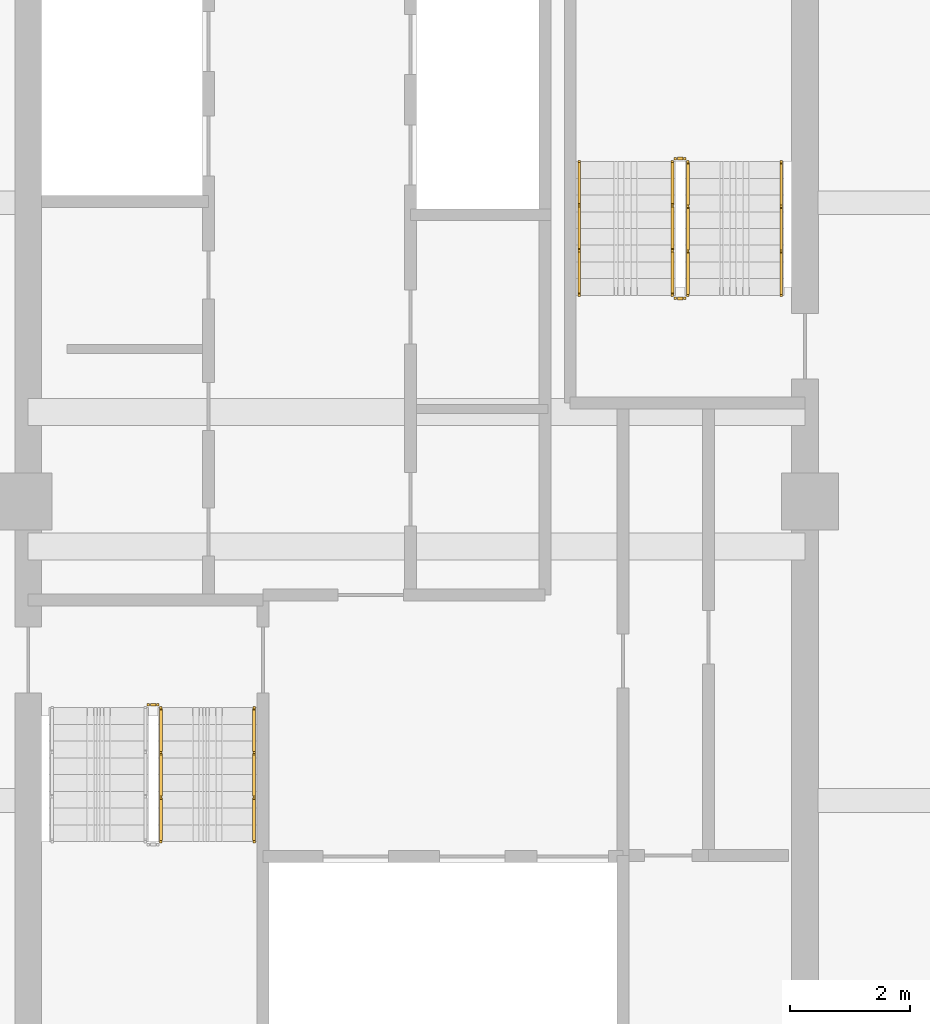
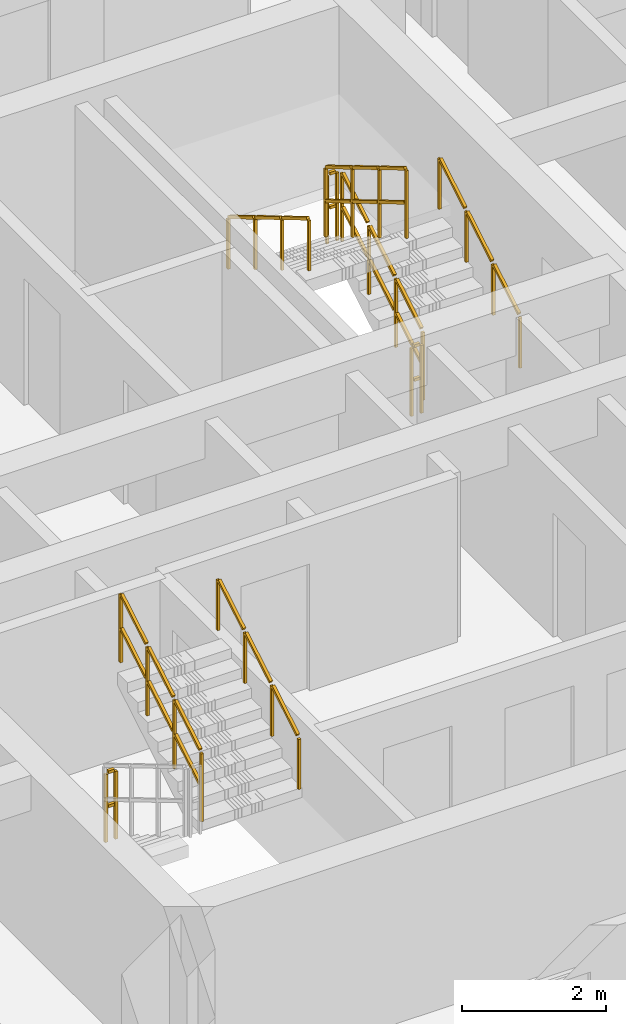
# One storey, part 12 of 14: 9 railings.
"""IFC4 building model written with IfcOpenShell, lengths in metres."""

from ifc_helpers import new_model, si_unit, direction, frame, origin, origin_2d, place, context, subcontext, project, spatial, rectangle, extrude, material, type_object, element, save


model = new_model("IFC4")

# Units and contexts
model_context = context("Model", 3, precision=1e-05, world=origin(), true_north=direction((0.0, 1.0)))
body_context = subcontext(model_context, "Body", "Model", "MODEL_VIEW")
ifc_project = project(units=[si_unit("LENGTHUNIT", "METRE"), si_unit("AREAUNIT", "SQUARE_METRE"), si_unit("VOLUMEUNIT", "CUBIC_METRE"), si_unit("PLANEANGLEUNIT", "RADIAN"), si_unit("MASSUNIT", "GRAM", prefix="KILO")], contexts=[model_context])

# Site, building, storey
site_placement = place(None, origin())
site = spatial("IfcSite", under=ifc_project, at=site_placement, CompositionType="ELEMENT")
building_placement = place(site_placement, origin())
building = spatial("IfcBuilding", under=site, at=building_placement, Name="Saelheon Loggia Tower", CompositionType="ELEMENT")
storey_placement = place(building_placement, frame((0.0, 0.0, 213.300048828125)))
storey = spatial("IfcBuildingStorey", under=building, at=storey_placement, Name="L66", CompositionType="ELEMENT", Elevation=213.300048828125)

# Railings
ifc_material_1 = material(Name="Galvanised Steel S275 Stairwell Guardrail", Category="steel")
railing_type_1 = type_object("IfcRailingType", Name="Guard_StairWell_RL_STG", PredefinedType="GUARDRAIL", material=ifc_material_1)
railing_1_placement = place(storey_placement, frame((33.719970703125, 21.31005859375, 1.66650390625)))
element("IfcRailing", 1, at=railing_1_placement, inside=storey, type_object=railing_type_1, Name="L66 ST1 stair guard 3", PredefinedType="GUARDRAIL", context=body_context, shape_type="SweptSolid", body=[
    extrude(rectangle(XDim=0.048095703125, YDim=0.048095703125, at=origin_2d()), frame((0.0, 0.028564453125, 1.19287109375), z_axis=(0.0, 0.859264461869, 0.511531606619), x_axis=(-1.0, 0.0, 0.0)), (0.0, 0.0, 1.0), 0.802490234375),
    extrude(rectangle(XDim=0.048095703125, YDim=0.048095703125, at=origin_2d()), frame((0.0, 0.028564453125, 0.616943359375), z_axis=(0.0, 0.859264461869, 0.511531606619), x_axis=(-1.0, 0.0, 0.0)), (0.0, 0.0, 1.0), 0.802490234375),
    extrude(rectangle(XDim=0.048095703125, YDim=0.048095703125, at=origin_2d()), frame((0.0, 0.775146484375, 1.637451171875), z_axis=(0.0, 0.859264461869, 0.511531606619), x_axis=(-1.0, 0.0, 0.0)), (0.0, 0.0, 1.0), 0.802490234375),
    extrude(rectangle(XDim=0.048095703125, YDim=0.048095703125, at=origin_2d()), frame((0.0, 0.775146484375, 1.0615234375), z_axis=(0.0, 0.859264461869, 0.511531606619), x_axis=(-1.0, 0.0, 0.0)), (0.0, 0.0, 1.0), 0.802490234375),
    extrude(rectangle(XDim=0.048095703125, YDim=0.048095703125, at=origin_2d()), frame((0.0, 1.52197265625, 2.081787109375), z_axis=(0.0, 0.859264461869, 0.511531606619), x_axis=(-1.0, 0.0, 0.0)), (0.0, 0.0, 1.0), 0.802490234375),
    extrude(rectangle(XDim=0.048095703125, YDim=0.048095703125, at=origin_2d()), frame((0.0, 1.52197265625, 1.505859375), z_axis=(0.0, 0.859264461869, 0.511531606619), x_axis=(-1.0, 0.0, 0.0)), (0.0, 0.0, 1.0), 0.802490234375),
    extrude(rectangle(XDim=0.0419921875, YDim=0.0419921875, at=origin_2d()), origin(), (0.0, 0.0, 1.0), 1.14794921875),
    extrude(rectangle(XDim=0.0419921875, YDim=0.0419921875, at=origin_2d()), frame((0.0, 0.74658203125, 0.444580078125)), (0.0, 0.0, 1.0), 1.14794921875),
    extrude(rectangle(XDim=0.0419921875, YDim=0.0419921875, at=origin_2d()), frame((0.0, 1.493408203125, 0.888916015625)), (0.0, 0.0, 1.0), 1.14794921875),
    extrude(rectangle(XDim=0.0419921875, YDim=0.0419921875, at=origin_2d()), frame((0.0, 2.239990234375, 1.33349609375)), (0.0, 0.0, 1.0), 1.14794921875),
])
railing_2_placement = place(storey_placement, frame((33.510009765625, 23.60009765625, 0.0)))
element("IfcRailing", 2, at=railing_2_placement, inside=storey, type_object=railing_type_1, Name="L66 ST1 stair guard 4", PredefinedType="GUARDRAIL", context=body_context, shape_type="SweptSolid", body=[
    extrude(rectangle(XDim=0.048095703125, YDim=0.048095703125, at=origin_2d()), frame((0.033203125, 0.0, 1.17578125), z_axis=(1.0, 0.0, 0.0), x_axis=(0.0, 1.0, 0.0)), (0.0, 0.0, 1.0), 0.093505859375),
    extrude(rectangle(XDim=0.048095703125, YDim=0.048095703125, at=origin_2d()), frame((0.033203125, 0.0, 0.60009765625), z_axis=(1.0, 0.0, 0.0), x_axis=(0.0, 1.0, 0.0)), (0.0, 0.0, 1.0), 0.093505859375),
    extrude(rectangle(XDim=0.0419921875, YDim=0.0419921875, at=origin_2d()), origin(), (0.0, 0.0, 1.0), 1.14794921875),
    extrude(rectangle(XDim=0.0419921875, YDim=0.0419921875, at=origin_2d()), frame((0.159912109375, 0.0, 0.0)), (0.0, 0.0, 1.0), 1.14794921875),
])
railing_3_placement = place(storey_placement, frame((42.5400390625, 30.449951171875, 0.16650390625)))
element("IfcRailing", 3, at=railing_3_placement, inside=storey, type_object=railing_type_1, Name="L66 ST2 stair guard 1", PredefinedType="GUARDRAIL", context=body_context, shape_type="SweptSolid", body=[
    extrude(rectangle(XDim=0.048095703125, YDim=0.048095703125, at=origin_2d()), frame((0.0, 0.028564453125, 1.19287109375), z_axis=(0.0, 0.859264461869, 0.511531606619), x_axis=(-1.0, 0.0, 0.0)), (0.0, 0.0, 1.0), 0.802490234375),
    extrude(rectangle(XDim=0.048095703125, YDim=0.048095703125, at=origin_2d()), frame((0.0, 0.028564453125, 0.616943359375), z_axis=(0.0, 0.859264461869, 0.511531606619), x_axis=(-1.0, 0.0, 0.0)), (0.0, 0.0, 1.0), 0.802490234375),
    extrude(rectangle(XDim=0.048095703125, YDim=0.048095703125, at=origin_2d()), frame((0.0, 0.775146484375, 1.637451171875), z_axis=(0.0, 0.859264461869, 0.511531606619), x_axis=(-1.0, 0.0, 0.0)), (0.0, 0.0, 1.0), 0.802490234375),
    extrude(rectangle(XDim=0.048095703125, YDim=0.048095703125, at=origin_2d()), frame((0.0, 0.775146484375, 1.0615234375), z_axis=(0.0, 0.859264461869, 0.511531606619), x_axis=(-1.0, 0.0, 0.0)), (0.0, 0.0, 1.0), 0.802490234375),
    extrude(rectangle(XDim=0.048095703125, YDim=0.048095703125, at=origin_2d()), frame((0.0, 1.52197265625, 2.081787109375), z_axis=(0.0, 0.859264461869, 0.511531606619), x_axis=(-1.0, 0.0, 0.0)), (0.0, 0.0, 1.0), 0.802490234375),
    extrude(rectangle(XDim=0.048095703125, YDim=0.048095703125, at=origin_2d()), frame((0.0, 1.52197265625, 1.505859375), z_axis=(0.0, 0.859264461869, 0.511531606619), x_axis=(-1.0, 0.0, 0.0)), (0.0, 0.0, 1.0), 0.802490234375),
    extrude(rectangle(XDim=0.0419921875, YDim=0.0419921875, at=origin_2d()), origin(), (0.0, 0.0, 1.0), 1.14794921875),
    extrude(rectangle(XDim=0.0419921875, YDim=0.0419921875, at=origin_2d()), frame((0.0, 0.74658203125, 0.444580078125)), (0.0, 0.0, 1.0), 1.14794921875),
    extrude(rectangle(XDim=0.0419921875, YDim=0.0419921875, at=origin_2d()), frame((0.0, 1.493408203125, 0.888916015625)), (0.0, 0.0, 1.0), 1.14794921875),
    extrude(rectangle(XDim=0.0419921875, YDim=0.0419921875, at=origin_2d()), frame((0.0, 2.239990234375, 1.33349609375)), (0.0, 0.0, 1.0), 1.14794921875),
])
railing_4_placement = place(storey_placement, frame((42.489990234375, 32.739990234375, 1.5)))
element("IfcRailing", 4, at=railing_4_placement, inside=storey, type_object=railing_type_1, Name="L66 ST2 stair guard 2", PredefinedType="GUARDRAIL", context=body_context, shape_type="SweptSolid", body=[
    extrude(rectangle(XDim=0.048095703125, YDim=0.048095703125, at=origin_2d()), frame((-0.033203125, 0.0, 1.17578125), z_axis=(-1.0, 0.0, 0.0), x_axis=(0.0, -1.0, 0.0)), (0.0, 0.0, 1.0), 0.093505859375),
    extrude(rectangle(XDim=0.048095703125, YDim=0.048095703125, at=origin_2d()), frame((-0.033203125, 0.0, 0.60009765625), z_axis=(-1.0, 0.0, 0.0), x_axis=(0.0, -1.0, 0.0)), (0.0, 0.0, 1.0), 0.093505859375),
    extrude(rectangle(XDim=0.0419921875, YDim=0.0419921875, at=origin_2d()), origin(), (0.0, 0.0, 1.0), 1.14794921875),
    extrude(rectangle(XDim=0.0419921875, YDim=0.0419921875, at=origin_2d()), frame((-0.159912109375, 0.0, 0.0)), (0.0, 0.0, 1.0), 1.14794921875),
])
railing_5_placement = place(storey_placement, frame((42.280029296875, 32.68994140625, 1.66650390625)))
element("IfcRailing", 5, at=railing_5_placement, inside=storey, type_object=railing_type_1, Name="L66 ST2 stair guard 3", PredefinedType="GUARDRAIL", context=body_context, shape_type="SweptSolid", body=[
    extrude(rectangle(XDim=0.048095703125, YDim=0.048095703125, at=origin_2d()), frame((0.0, -0.028564453125, 1.19287109375), z_axis=(0.0, -0.859264461869, 0.511531606619), x_axis=(1.0, 0.0, 0.0)), (0.0, 0.0, 1.0), 0.802490234375),
    extrude(rectangle(XDim=0.048095703125, YDim=0.048095703125, at=origin_2d()), frame((0.0, -0.028564453125, 0.616943359375), z_axis=(0.0, -0.859264461869, 0.511531606619), x_axis=(1.0, 0.0, 0.0)), (0.0, 0.0, 1.0), 0.802490234375),
    extrude(rectangle(XDim=0.048095703125, YDim=0.048095703125, at=origin_2d()), frame((0.0, -0.775146484375, 1.637451171875), z_axis=(0.0, -0.859264461869, 0.511531606619), x_axis=(1.0, 0.0, 0.0)), (0.0, 0.0, 1.0), 0.802490234375),
    extrude(rectangle(XDim=0.048095703125, YDim=0.048095703125, at=origin_2d()), frame((0.0, -0.775146484375, 1.0615234375), z_axis=(0.0, -0.859264461869, 0.511531606619), x_axis=(1.0, 0.0, 0.0)), (0.0, 0.0, 1.0), 0.802490234375),
    extrude(rectangle(XDim=0.048095703125, YDim=0.048095703125, at=origin_2d()), frame((0.0, -1.52197265625, 2.081787109375), z_axis=(0.0, -0.859264461869, 0.511531606619), x_axis=(1.0, 0.0, 0.0)), (0.0, 0.0, 1.0), 0.802490234375),
    extrude(rectangle(XDim=0.048095703125, YDim=0.048095703125, at=origin_2d()), frame((0.0, -1.52197265625, 1.505859375), z_axis=(0.0, -0.859264461869, 0.511531606619), x_axis=(1.0, 0.0, 0.0)), (0.0, 0.0, 1.0), 0.802490234375),
    extrude(rectangle(XDim=0.0419921875, YDim=0.0419921875, at=origin_2d()), origin(), (0.0, 0.0, 1.0), 1.14794921875),
    extrude(rectangle(XDim=0.0419921875, YDim=0.0419921875, at=origin_2d()), frame((0.0, -0.74658203125, 0.444580078125)), (0.0, 0.0, 1.0), 1.14794921875),
    extrude(rectangle(XDim=0.0419921875, YDim=0.0419921875, at=origin_2d()), frame((0.0, -1.493408203125, 0.888916015625)), (0.0, 0.0, 1.0), 1.14794921875),
    extrude(rectangle(XDim=0.0419921875, YDim=0.0419921875, at=origin_2d()), frame((0.0, -2.239990234375, 1.33349609375)), (0.0, 0.0, 1.0), 1.14794921875),
])
railing_6_placement = place(storey_placement, frame((42.489990234375, 30.39990234375, 0.0)))
element("IfcRailing", 6, at=railing_6_placement, inside=storey, type_object=railing_type_1, Name="L66 ST2 stair guard 4", PredefinedType="GUARDRAIL", context=body_context, shape_type="SweptSolid", body=[
    extrude(rectangle(XDim=0.048095703125, YDim=0.048095703125, at=origin_2d()), frame((-0.033203125, 0.0, 1.17578125), z_axis=(-1.0, 0.0, 0.0), x_axis=(0.0, -1.0, 0.0)), (0.0, 0.0, 1.0), 0.093505859375),
    extrude(rectangle(XDim=0.048095703125, YDim=0.048095703125, at=origin_2d()), frame((-0.033203125, 0.0, 0.60009765625), z_axis=(-1.0, 0.0, 0.0), x_axis=(0.0, -1.0, 0.0)), (0.0, 0.0, 1.0), 0.093505859375),
    extrude(rectangle(XDim=0.0419921875, YDim=0.0419921875, at=origin_2d()), origin(), (0.0, 0.0, 1.0), 1.14794921875),
    extrude(rectangle(XDim=0.0419921875, YDim=0.0419921875, at=origin_2d()), frame((-0.159912109375, 0.0, 0.0)), (0.0, 0.0, 1.0), 1.14794921875),
])
ifc_material_2 = material(Name="Stainless Steel 304 Tubular Handrail", Category="steel")
railing_type_2 = type_object("IfcRailingType", Name="Handrail_Stair_RL_HR1", PredefinedType="HANDRAIL", material=ifc_material_2)
for number, where, name in (
    (7, (35.280029296875, 21.31005859375, 1.66650390625), "L66 ST1 stair handrail 2"),
    (8, (44.10009765625, 30.449951171875, 0.16650390625), "L66 ST2 stair handrail 1"),
):
    element("IfcRailing", number, at=place(storey_placement, frame(where)), inside=storey, type_object=railing_type_2, Name=name, PredefinedType="HANDRAIL", context=body_context, shape_type="SweptSolid", body=[
        extrude(rectangle(XDim=0.048095703125, YDim=0.048095703125, at=origin_2d()), frame((0.0, 0.028564453125, 0.892822265625), z_axis=(0.0, 0.859264461869, 0.511531606619), x_axis=(-1.0, 0.0, 0.0)), (0.0, 0.0, 1.0), 0.802490234375),
        extrude(rectangle(XDim=0.048095703125, YDim=0.048095703125, at=origin_2d()), frame((0.0, 0.775146484375, 1.33740234375), z_axis=(0.0, 0.859264461869, 0.511531606619), x_axis=(-1.0, 0.0, 0.0)), (0.0, 0.0, 1.0), 0.802490234375),
        extrude(rectangle(XDim=0.048095703125, YDim=0.048095703125, at=origin_2d()), frame((0.0, 1.52197265625, 1.78173828125), z_axis=(0.0, 0.859264461869, 0.511531606619), x_axis=(-1.0, 0.0, 0.0)), (0.0, 0.0, 1.0), 0.802490234375),
        extrude(rectangle(XDim=0.0419921875, YDim=0.0419921875, at=origin_2d()), origin(), (0.0, 0.0, 1.0), 0.847900390625),
        extrude(rectangle(XDim=0.0419921875, YDim=0.0419921875, at=origin_2d()), frame((0.0, 0.74658203125, 0.444580078125)), (0.0, 0.0, 1.0), 0.847900390625),
        extrude(rectangle(XDim=0.0419921875, YDim=0.0419921875, at=origin_2d()), frame((0.0, 1.493408203125, 0.888916015625)), (0.0, 0.0, 1.0), 0.847900390625),
        extrude(rectangle(XDim=0.0419921875, YDim=0.0419921875, at=origin_2d()), frame((0.0, 2.239990234375, 1.33349609375)), (0.0, 0.0, 1.0), 0.847900390625),
    ])
railing_7_placement = place(storey_placement, frame((40.719970703125, 32.68994140625, 1.66650390625)))
element("IfcRailing", 9, at=railing_7_placement, inside=storey, type_object=railing_type_2, Name="L66 ST2 stair handrail 2", PredefinedType="HANDRAIL", context=body_context, shape_type="SweptSolid", body=[
    extrude(rectangle(XDim=0.048095703125, YDim=0.048095703125, at=origin_2d()), frame((0.0, -0.028564453125, 0.892822265625), z_axis=(0.0, -0.859264461869, 0.511531606619), x_axis=(1.0, 0.0, 0.0)), (0.0, 0.0, 1.0), 0.802490234375),
    extrude(rectangle(XDim=0.048095703125, YDim=0.048095703125, at=origin_2d()), frame((0.0, -0.775146484375, 1.33740234375), z_axis=(0.0, -0.859264461869, 0.511531606619), x_axis=(1.0, 0.0, 0.0)), (0.0, 0.0, 1.0), 0.802490234375),
    extrude(rectangle(XDim=0.048095703125, YDim=0.048095703125, at=origin_2d()), frame((0.0, -1.52197265625, 1.78173828125), z_axis=(0.0, -0.859264461869, 0.511531606619), x_axis=(1.0, 0.0, 0.0)), (0.0, 0.0, 1.0), 0.802490234375),
    extrude(rectangle(XDim=0.0419921875, YDim=0.0419921875, at=origin_2d()), origin(), (0.0, 0.0, 1.0), 0.847900390625),
    extrude(rectangle(XDim=0.0419921875, YDim=0.0419921875, at=origin_2d()), frame((0.0, -0.74658203125, 0.444580078125)), (0.0, 0.0, 1.0), 0.847900390625),
    extrude(rectangle(XDim=0.0419921875, YDim=0.0419921875, at=origin_2d()), frame((0.0, -1.493408203125, 0.888916015625)), (0.0, 0.0, 1.0), 0.847900390625),
    extrude(rectangle(XDim=0.0419921875, YDim=0.0419921875, at=origin_2d()), frame((0.0, -2.239990234375, 1.33349609375)), (0.0, 0.0, 1.0), 0.847900390625),
])

save(model, "model.ifc")
